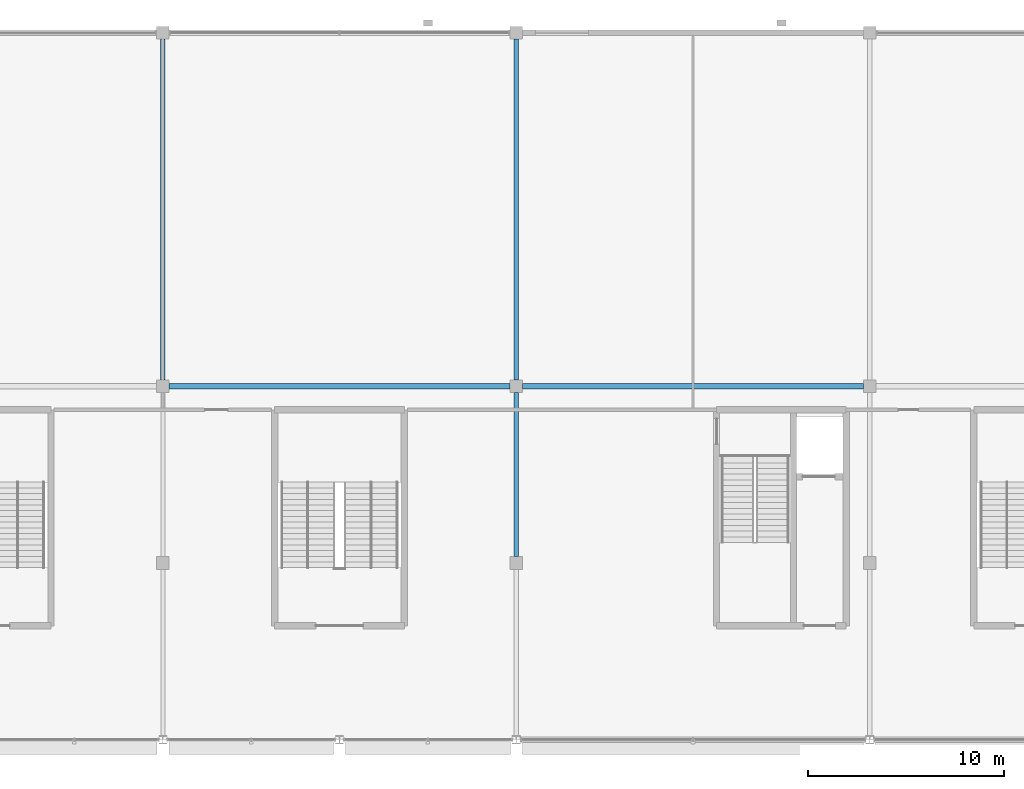
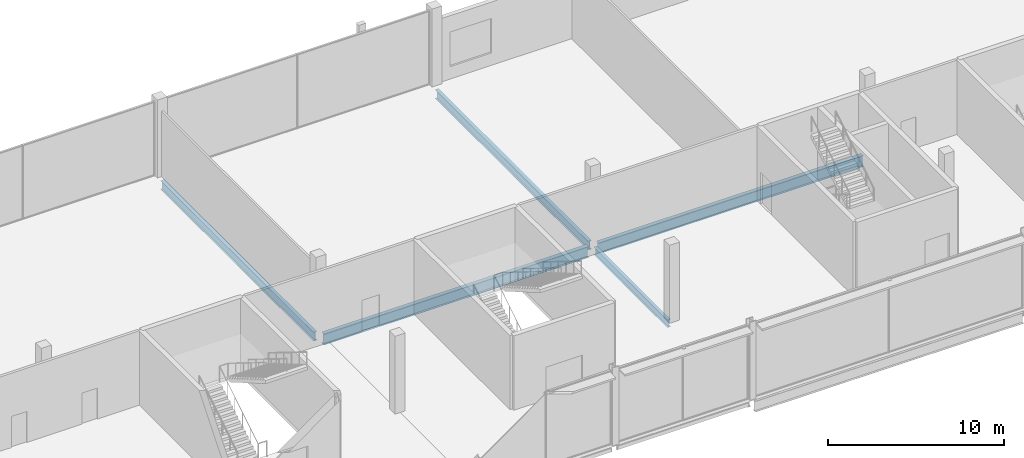
# One storey, part 38 of 111: 5 beams.
"""IFC4 building model written with IfcOpenShell, lengths in metres."""

import ifcopenshell
import ifcopenshell.guid

model = None  # the IFC model being written
_history = None  # IfcOwnerHistory: only IFC2X3 demands one
_inside = {}  # id of a spatial element -> (the spatial element, [elements in it])
_under = {}  # id of a project, library or spatial element -> (it, [spatial elements below it])
_declared = {}  # id of a project -> (the project, [libraries it declares])
_typed = {}  # id of a type object -> (the type object, [elements of that type])
_made_of = {}  # id of a material, layer set ... -> (it, [elements and type objects made of it])


def new_model(schema):
    """Start an empty IFC model of exactly this schema.

    Asked for "IFC4X3", IfcOpenShell would pick the latest addendum, in which some entities
    have other attributes; the version numbers below select the first issue.
    IFC2X3 requires an IfcOwnerHistory on every rooted entity: one is made here for all.
    """
    global model, _history
    if schema == "IFC4X3":
        model = ifcopenshell.file(schema_version=(4, 3, 0, 0))
    else:
        model = ifcopenshell.file(schema=schema)
    _inside.clear()
    _under.clear()
    _declared.clear()
    _typed.clear()
    _made_of.clear()
    _history = None
    if model.schema == "IFC2X3":
        org = make("IfcOrganization", Name="unknown")
        user = make(
            "IfcPersonAndOrganization",
            ThePerson=make("IfcPerson", FamilyName="unknown"),
            TheOrganization=org,
        )
        app = make(
            "IfcApplication",
            ApplicationDeveloper=org,
            Version="unknown",
            ApplicationFullName="unknown",
            ApplicationIdentifier="unknown",
        )
        _history = make(
            "IfcOwnerHistory",
            OwningUser=user,
            OwningApplication=app,
            ChangeAction="ADDED",
            CreationDate=0,
        )
    return model


def make(cls, **values):
    """One entity of the class cls with the attributes given. An attribute that is None is left unset."""
    return model.create_entity(
        cls, **{name: value for name, value in values.items() if value is not None}
    )


def rooted(cls, **values):
    """An entity with a GlobalId (a new one), such as an element, a storey or a relation."""
    return make(cls, GlobalId=ifcopenshell.guid.new(), OwnerHistory=_history, **values)


def si_unit(unit_type, name, prefix=None):
    """IfcSIUnit, for example si_unit("LENGTHUNIT", "METRE", prefix="MILLI")."""
    return make("IfcSIUnit", UnitType=unit_type, Prefix=prefix, Name=name)


def assignment(units):
    """IfcUnitAssignment: the units of a project."""
    return None if units is None else make("IfcUnitAssignment", Units=units)


def point(xyz):
    """IfcCartesianPoint."""
    return None if xyz is None else make("IfcCartesianPoint", Coordinates=xyz)


def direction(xyz):
    """IfcDirection."""
    return None if xyz is None else make("IfcDirection", DirectionRatios=xyz)


def frame(location, z_axis=None, x_axis=None):
    """IfcAxis2Placement3D, a coordinate frame: its origin and axes. An axis left out is left unset."""
    return make(
        "IfcAxis2Placement3D",
        Location=point(location),
        Axis=direction(z_axis),
        RefDirection=direction(x_axis),
    )


def frame_2d(location, x_axis=None):
    """IfcAxis2Placement2D, a coordinate frame in the plane: its origin and x axis."""
    return make(
        "IfcAxis2Placement2D", Location=point(location), RefDirection=direction(x_axis)
    )


def origin():
    """The frame at (0, 0, 0) with its axes left unset."""
    return frame((0.0, 0.0, 0.0))


def origin_2d():
    """The frame at (0, 0) in the plane with its x axis left unset."""
    return frame_2d((0.0, 0.0))


def place(relative_to, where):
    """IfcLocalPlacement: puts the frame where relative to a parent placement (None: the world)."""
    return make(
        "IfcLocalPlacement", PlacementRelTo=relative_to, RelativePlacement=where
    )


def context(
    kind, dimensions, precision=None, world=None, true_north=None, identifier=None
):
    """IfcGeometricRepresentationContext, for example the 3D "Model" context."""
    return make(
        "IfcGeometricRepresentationContext",
        ContextIdentifier=identifier,
        ContextType=kind,
        CoordinateSpaceDimension=dimensions,
        Precision=precision,
        WorldCoordinateSystem=world,
        TrueNorth=true_north,
    )


def subcontext(parent, identifier, kind, view, scale=None):
    """IfcGeometricRepresentationSubContext, for example "Body" below "Model"."""
    return make(
        "IfcGeometricRepresentationSubContext",
        ContextIdentifier=identifier,
        ContextType=kind,
        ParentContext=parent,
        TargetScale=scale,
        TargetView=view,
    )


def project(units=None, contexts=None):
    """IfcProject with its units and contexts."""
    return rooted(
        "IfcProject",
        Name="project",
        RepresentationContexts=contexts,
        UnitsInContext=assignment(units),
    )


def spatial(cls, under=None, at=None, **own):
    """A site, building, storey or space (cls), placed at a placement, below another one or the project."""
    s = rooted(cls, ObjectPlacement=at, **own)
    if under is not None:
        _under.setdefault(under.id(), (under, []))[1].append(s)
    return s


def profile(cls, at=None, kind="AREA", **sizes):
    """A parametric profile (cls). Its sizes go by their IFC names, for example OverallWidth=200.0."""
    return make(cls, ProfileType=kind, Position=at, **sizes)


def i_section(**sizes):
    """IfcIShapeProfileDef."""
    return profile("IfcIShapeProfileDef", **sizes)


def extrude(swept, where, along, depth):
    """IfcExtrudedAreaSolid: the profile swept, set in the frame where, extruded along a direction by depth."""
    return make(
        "IfcExtrudedAreaSolid",
        SweptArea=swept,
        Position=where,
        ExtrudedDirection=direction(along),
        Depth=depth,
    )


def shape(context_of_items, identifier, shape_type, items):
    """IfcShapeRepresentation: the items that make up one representation, for example the "Body"."""
    return make(
        "IfcShapeRepresentation",
        ContextOfItems=context_of_items,
        RepresentationIdentifier=identifier,
        RepresentationType=shape_type,
        Items=items,
    )


def material(Name=None, Category=None):
    """IfcMaterial."""
    return make("IfcMaterial", Name=Name, Category=Category)


def material_profile(
    of_material, cross_section, Name=None, Category=None, Priority=None
):
    """IfcMaterialProfile: a cross section and its material."""
    return make(
        "IfcMaterialProfile",
        Name=Name,
        Material=of_material,
        Profile=cross_section,
        Priority=Priority,
        Category=Category,
    )


def profile_set(profiles, Name=None, composite=None):
    """IfcMaterialProfileSet."""
    return make(
        "IfcMaterialProfileSet",
        Name=Name,
        MaterialProfiles=profiles,
        CompositeProfile=composite,
    )


def made_of(thing, what):
    """Note that an element or type object is made of a material, layer set ...; save() writes the relation."""
    if what is not None:
        _made_of.setdefault(what.id(), (what, []))[1].append(thing)
    return thing


def type_object(cls, material=None, **own):
    """A type object (cls), such as IfcWallType, which elements share."""
    return made_of(rooted(cls, **own), material)


def element(
    cls,
    number,
    at=None,
    inside=None,
    cuts=None,
    type_object=None,
    material=None,
    context=None,
    identifier="Body",
    shape_type=None,
    held_by="IfcProductDefinitionShape",
    body=None,
    shapes=None,
    **own,
):
    """One element of the class cls, such as IfcWall. Its Tag is "e" and its number.

    at: its placement. inside: the storey or other place that contains it. cuts: it is an
    opening in that element (IfcRelVoidsElement). A single representation is given by context,
    identifier, shape_type and body (its items); several are given by shapes. held_by: the class
    of the entity that holds the representations. save() writes the other relations.
    """
    e = rooted(cls, Tag="e%d" % number, ObjectPlacement=at, **own)
    if body is not None:
        shapes = [shape(context, identifier, shape_type, body)]
    if shapes is not None:
        e.Representation = make(held_by, Representations=shapes)
    if inside is not None:
        _inside.setdefault(inside.id(), (inside, []))[1].append(e)
    if cuts is not None:
        rooted(
            "IfcRelVoidsElement", RelatingBuildingElement=cuts, RelatedOpeningElement=e
        )
    if type_object is not None:
        _typed.setdefault(type_object.id(), (type_object, []))[1].append(e)
    return made_of(e, material)


def aggregate(whole, parts):
    """IfcRelAggregates: a whole, such as a stair, and the parts it consists of."""
    return rooted("IfcRelAggregates", RelatingObject=whole, RelatedObjects=parts)


def save(model, path):
    """Write the relations noted so far, then the file.

    IfcRelAggregates (storeys below a building ...), IfcRelContainedInSpatialStructure (elements
    in a storey), IfcRelDefinesByType, IfcRelAssociatesMaterial and IfcRelDeclares: one each for
    every whole, place, type object, material and project.
    """
    for whole, parts in _under.values():
        aggregate(whole, parts)
    for where, things in _inside.values():
        rooted(
            "IfcRelContainedInSpatialStructure",
            RelatedElements=things,
            RelatingStructure=where,
        )
    for kind, things in _typed.values():
        rooted("IfcRelDefinesByType", RelatedObjects=things, RelatingType=kind)
    for what, things in _made_of.values():
        rooted("IfcRelAssociatesMaterial", RelatedObjects=things, RelatingMaterial=what)
    for by, libraries in _declared.values():
        rooted("IfcRelDeclares", RelatingContext=by, RelatedDefinitions=libraries)
    model.write(path)


model = new_model("IFC4")

# Units and contexts
model_context = context("Model", 3, precision=1e-05, world=origin(), true_north=direction((0.0, 1.0)))
body_context = subcontext(model_context, "Body", "Model", "MODEL_VIEW")
ifc_project = project(units=[si_unit("LENGTHUNIT", "METRE"), si_unit("AREAUNIT", "SQUARE_METRE"), si_unit("VOLUMEUNIT", "CUBIC_METRE"), si_unit("PLANEANGLEUNIT", "RADIAN"), si_unit("MASSUNIT", "GRAM", prefix="KILO")], contexts=[model_context])

# Site, building, storey
site_placement = place(None, origin())
site = spatial("IfcSite", under=ifc_project, at=site_placement, CompositionType="ELEMENT")
building_placement = place(site_placement, origin())
building = spatial("IfcBuilding", under=site, at=building_placement, Name="Kisiwana Market Hall", CompositionType="ELEMENT")
storey_placement = place(building_placement, frame((0.0, 0.0, 11.39990234375)))
storey = spatial("IfcBuildingStorey", under=building, at=storey_placement, Name="L02", CompositionType="ELEMENT", Elevation=11.39990234375)

# Beams
ifc_material_1 = material(Name="Steel S355", Category="steel")
ifc_material_profile_1 = material_profile(ifc_material_1, i_section(OverallWidth=0.209228515625, OverallDepth=0.533203125, WebThickness=0.010009765625, FlangeThickness=0.015625, at=origin_2d()), Name="UB 533x210x92")
ifc_profile_set_1 = profile_set([ifc_material_profile_1], Name="Steel S355")
beam_type_1 = type_object("IfcBeamType", Name="BM-GIRD-UB533", PredefinedType="BEAM", material=ifc_profile_set_1)
beam_placement = place(storey_placement, frame((117.0, 93.321044921875, -0.516357421875), z_axis=(0.0, 1.0, 0.0), x_axis=(-1.0, 0.0, 0.0)))
element("IfcBeam", 1, at=beam_placement, inside=storey, type_object=beam_type_1, Name="Primary girder B-0653", PredefinedType="BEAM", context=body_context, shape_type="SweptSolid", body=[
    extrude(i_section(OverallWidth=0.209228515625, OverallDepth=0.533203125, WebThickness=0.010009765625, FlangeThickness=0.015625, at=origin_2d()), origin(), (0.0, 0.0, 1.0), 8.35791015625),
])
ifc_material_2 = material(Name="Steel S355", Category="steel")
ifc_material_profile_2 = material_profile(ifc_material_2, i_section(OverallWidth=0.22900390625, OverallDepth=0.6123046875, WebThickness=0.011962890625, FlangeThickness=0.01953125, at=origin_2d()), Name="UB 610x229x125")
ifc_profile_set_2 = profile_set([ifc_material_profile_2], Name="Steel S355")
beam_type_2 = type_object("IfcBeamType", Name="BM-GIRD-UB610H", PredefinedType="BEAM", material=ifc_profile_set_2)
for number, where, z_axis, x_axis, name in (
    (2, (99.0, 102.321044921875, -0.555908203125), (0.0, 1.0, 0.0), (-1.0, 0.0, 0.0), "Primary girder B-0648"),
    (3, (117.0, 102.321044921875, -0.555908203125), (0.0, 1.0, 0.0), (-1.0, 0.0, 0.0), "Primary girder B-0654"),
):
    element("IfcBeam", number, at=place(storey_placement, frame(where, z_axis=z_axis, x_axis=x_axis)), inside=storey, type_object=beam_type_2, Name=name, PredefinedType="BEAM", context=body_context, shape_type="SweptSolid", body=[
        extrude(i_section(OverallWidth=0.22900390625, OverallDepth=0.6123046875, WebThickness=0.011962890625, FlangeThickness=0.01953125, at=origin_2d()), origin(), (0.0, 0.0, 1.0), 17.35791015625),
    ])
ifc_material_3 = material(Name="Steel S355", Category="steel")
ifc_material_profile_3 = material_profile(ifc_material_3, i_section(OverallWidth=0.2666015625, OverallDepth=0.76220703125, WebThickness=0.014404296875, FlangeThickness=0.021484375, at=origin_2d()), Name="UB 762x267x173")
ifc_profile_set_3 = profile_set([ifc_material_profile_3], Name="Steel S355")
beam_type_3 = type_object("IfcBeamType", Name="BM-GIRD-UB762", PredefinedType="BEAM", material=ifc_profile_set_3)
for number, where, z_axis, x_axis, name in (
    (4, (99.321044921875, 102.0, -0.631103515625), (1.0, 0.0, 0.0), (0.0, 1.0, 0.0), "Floor beam B-0796"),
    (5, (117.321044921875, 102.0, -0.631103515625), (1.0, 0.0, 0.0), (0.0, 1.0, 0.0), "Floor beam B-0797"),
):
    element("IfcBeam", number, at=place(storey_placement, frame(where, z_axis=z_axis, x_axis=x_axis)), inside=storey, type_object=beam_type_3, Name=name, PredefinedType="BEAM", context=body_context, shape_type="SweptSolid", body=[
        extrude(i_section(OverallWidth=0.2666015625, OverallDepth=0.76220703125, WebThickness=0.014404296875, FlangeThickness=0.021484375, at=origin_2d()), origin(), (0.0, 0.0, 1.0), 17.35791015625),
    ])

save(model, "model.ifc")
